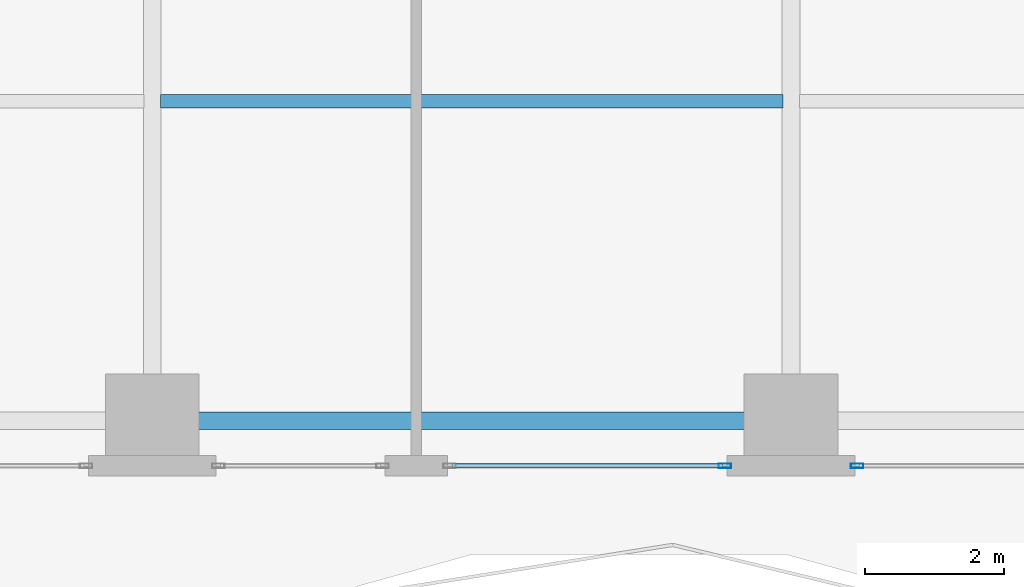
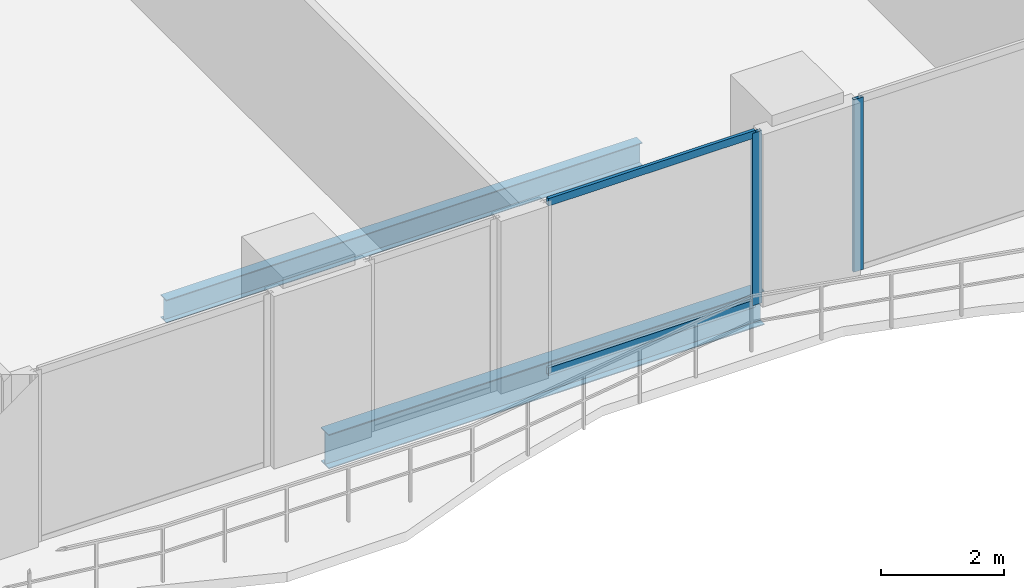
# One storey, part 5 of 28: 4 members, 2 beams, 2 elements without a shape of their own.
"""IFC4 building model written with IfcOpenShell, lengths in metres."""

from ifc_helpers import new_model, si_unit, direction, frame, origin, origin_2d, place, context, subcontext, project, spatial, hollow_rectangle, i_section, extrude, material, layer, layer_set, material_profile, profile_set, type_object, element, aggregate, save


model = new_model("IFC4")

# Units and contexts
model_context = context("Model", 3, precision=1e-05, world=origin(), true_north=direction((0.0, 1.0)))
body_context = subcontext(model_context, "Body", "Model", "MODEL_VIEW")
ifc_project = project(units=[si_unit("LENGTHUNIT", "METRE"), si_unit("AREAUNIT", "SQUARE_METRE"), si_unit("VOLUMEUNIT", "CUBIC_METRE"), si_unit("PLANEANGLEUNIT", "RADIAN"), si_unit("MASSUNIT", "GRAM", prefix="KILO")], contexts=[model_context])

# Site, building, storey
site_placement = place(None, origin())
site = spatial("IfcSite", under=ifc_project, at=site_placement, CompositionType="ELEMENT")
building_placement = place(site_placement, origin())
building = spatial("IfcBuilding", under=site, at=building_placement, Name="Zuhayl Quay Hotel", CompositionType="ELEMENT")
storey_placement = place(building_placement, frame((0.0, 0.0, 139.449951171875)))
storey = spatial("IfcBuildingStorey", under=building, at=storey_placement, Name="L35", CompositionType="ELEMENT", Elevation=139.449951171875)

# Beams
ifc_material_1 = material(Name="Steel ASTM A992 Grade 50", Category="steel")
ifc_material_profile_1 = material_profile(ifc_material_1, i_section(OverallWidth=0.25390625, OverallDepth=0.68310546875, WebThickness=0.012451171875, FlangeThickness=0.018798828125, at=origin_2d()), Name="W27X94")
ifc_profile_set_1 = profile_set([ifc_material_profile_1], Name="Steel ASTM A992 Grade 50")
beam_type_1 = type_object("IfcBeamType", Name="BM_B2_W27X94", PredefinedType="BEAM", material=ifc_profile_set_1)
beam_1_placement = place(storey_placement, frame((-4.10009765625, -14.75, -0.5615234375), z_axis=(1.0, 0.0, 0.0), x_axis=(0.0, 1.0, 0.0)))
element("IfcBeam", 1, at=beam_1_placement, inside=storey, type_object=beam_type_1, Name="L35 Floor Beam RG_L35_02", PredefinedType="BEAM", context=body_context, shape_type="SweptSolid", body=[
    extrude(i_section(OverallWidth=0.25390625, OverallDepth=0.68310546875, WebThickness=0.012451171875, FlangeThickness=0.018798828125, at=origin_2d()), origin(), (0.0, 0.0, 1.0), 8.2001953125),
])
ifc_material_profile_2 = material_profile(ifc_material_1, i_section(OverallWidth=0.18994140625, OverallDepth=0.45703125, WebThickness=0.009033203125, FlangeThickness=0.014404296875, at=origin_2d()), Name="W18X50")
ifc_profile_set_2 = profile_set([ifc_material_profile_2], Name="Steel ASTM A992 Grade 50")
beam_type_2 = type_object("IfcBeamType", Name="BM_J2_W18X50", PredefinedType="JOIST", material=ifc_profile_set_2)
beam_2_placement = place(storey_placement, frame((-4.48095703125, -10.14990234375, -0.448486328125), z_axis=(1.0, 0.0, 0.0), x_axis=(0.0, 1.0, 0.0)))
element("IfcBeam", 2, at=beam_2_placement, inside=storey, type_object=beam_type_2, Name="L35 Floor Beam FJ_L35_5_2", PredefinedType="JOIST", context=body_context, shape_type="SweptSolid", body=[
    extrude(i_section(OverallWidth=0.18994140625, OverallDepth=0.45703125, WebThickness=0.009033203125, FlangeThickness=0.014404296875, at=origin_2d()), origin(), (0.0, 0.0, 1.0), 8.9619140625),
])

# Curtain wall, member
ifc_material_2 = material(Name="Anodised Aluminium 6063-T6", Category="aluminium")
ifc_layer = layer(ifc_material_2, 0.179931640625, Name="Anodised Aluminium 6063-T6", Category="aluminium")
ifc_layer_set = layer_set([ifc_layer], Name="Anodised Aluminium 6063-T6")
curtain_wall_type = type_object("IfcCurtainWallType", Name="CW_SYS_Z2", PredefinedType="USERDEFINED", material=ifc_layer_set)
curtain_wall_1_placement = place(storey_placement, origin())
curtain_wall_1 = element("IfcCurtainWall", 3, at=curtain_wall_1_placement, inside=storey, type_object=curtain_wall_type, Name="L35 Curtain Wall ENV_L35_S_CW3", ObjectType="UNITISED CURTAIN WALL", PredefinedType="USERDEFINED")
ifc_material_3 = material(Name="Black-anodised aluminium 6063-T6", Category="aluminium")
ifc_material_profile_3 = material_profile(ifc_material_3, hollow_rectangle(XDim=0.06494140625, YDim=0.179931640625, WallThickness=0.00341796875, at=origin_2d()), Name="ALU180X65")
ifc_profile_set_3 = profile_set([ifc_material_profile_3], Name="Black-anodised aluminium 6063-T6")
member_type_1 = type_object("IfcMemberType", Name="MB_CW_MUL_180", PredefinedType="MULLION", material=ifc_profile_set_3)
member_1_placement = place(storey_placement, frame((5.552490234375, -15.39990234375, 0.0), z_axis=(0.0, 0.0, 1.0), x_axis=(0.0, -1.0, 0.0)))
member_1 = element("IfcMember", 4, at=member_1_placement, type_object=member_type_1, Name="CW-Z2 mullion 2", PredefinedType="MULLION", context=body_context, shape_type="SweptSolid", body=[
    extrude(hollow_rectangle(XDim=0.06494140625, YDim=0.179931640625, WallThickness=0.00341796875, at=origin_2d()), origin(), (0.0, 0.0, 1.0), 3.429931640625),
])
aggregate(curtain_wall_1, [member_1])

# Curtain wall, members
curtain_wall_2_placement = place(storey_placement, origin())
curtain_wall_2 = element("IfcCurtainWall", 5, at=curtain_wall_2_placement, inside=storey, type_object=curtain_wall_type, Name="L35 Curtain Wall ENV_L35_S_CW4", ObjectType="UNITISED CURTAIN WALL", PredefinedType="USERDEFINED")
member_2_placement = place(storey_placement, frame((3.6474609375, -15.39990234375, 0.0), z_axis=(0.0, 0.0, 1.0), x_axis=(0.0, -1.0, 0.0)))
member_2 = element("IfcMember", 6, at=member_2_placement, type_object=member_type_1, Name="CW-Z2 mullion 1", PredefinedType="MULLION", context=body_context, shape_type="SweptSolid", body=[
    extrude(hollow_rectangle(XDim=0.06494140625, YDim=0.179931640625, WallThickness=0.00341796875, at=origin_2d()), origin(), (0.0, 0.0, 1.0), 3.429931640625),
])
ifc_material_profile_4 = material_profile(ifc_material_3, hollow_rectangle(XDim=0.06005859375, YDim=0.14990234375, WallThickness=0.00341796875, at=origin_2d()), Name="ALU150X60")
ifc_profile_set_4 = profile_set([ifc_material_profile_4], Name="Black-anodised aluminium 6063-T6")
member_type_2 = type_object("IfcMemberType", Name="MB_CW_TRN_150", PredefinedType="USERDEFINED", material=ifc_profile_set_4)
member_3_placement = place(storey_placement, frame((3.614990234375, -15.39990234375, 0.030029296875), z_axis=(-1.0, 0.0, 0.0), x_axis=(0.0, -1.0, 0.0)))
member_3 = element("IfcMember", 7, at=member_3_placement, type_object=member_type_2, Name="CW-Z2 transom 1.1", ObjectType="TRANSOM", PredefinedType="USERDEFINED", context=body_context, shape_type="SweptSolid", body=[
    extrude(hollow_rectangle(XDim=0.06005859375, YDim=0.14990234375, WallThickness=0.00341796875, at=origin_2d()), origin(), (0.0, 0.0, 1.0), 3.89990234375),
])
member_4_placement = place(storey_placement, frame((3.614990234375, -15.39990234375, 3.400146484375), z_axis=(-1.0, 0.0, 0.0), x_axis=(0.0, -1.0, 0.0)))
member_4 = element("IfcMember", 8, at=member_4_placement, type_object=member_type_2, Name="CW-Z2 transom 1.2", ObjectType="TRANSOM", PredefinedType="USERDEFINED", context=body_context, shape_type="SweptSolid", body=[
    extrude(hollow_rectangle(XDim=0.06005859375, YDim=0.14990234375, WallThickness=0.00341796875, at=origin_2d()), origin(), (0.0, 0.0, 1.0), 3.89990234375),
])
aggregate(curtain_wall_2, [member_2, member_3, member_4])

save(model, "model.ifc")
